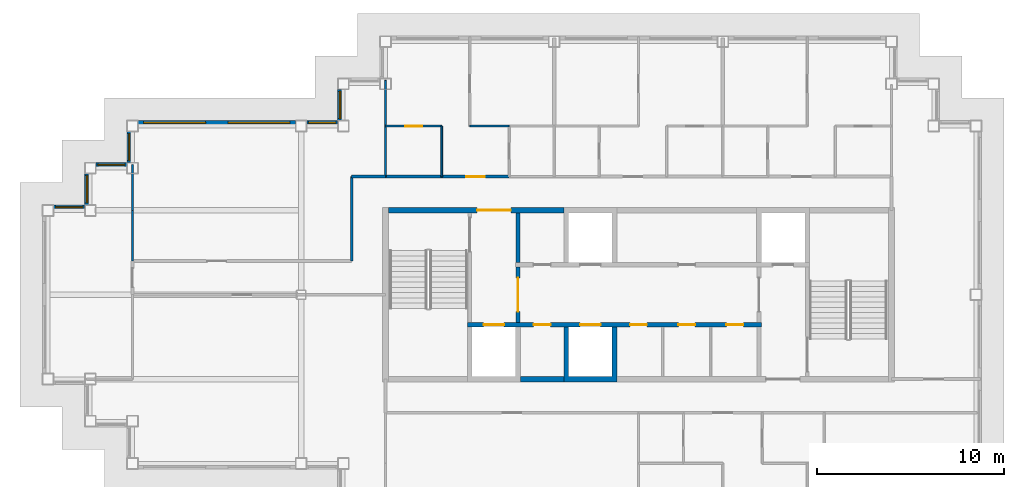
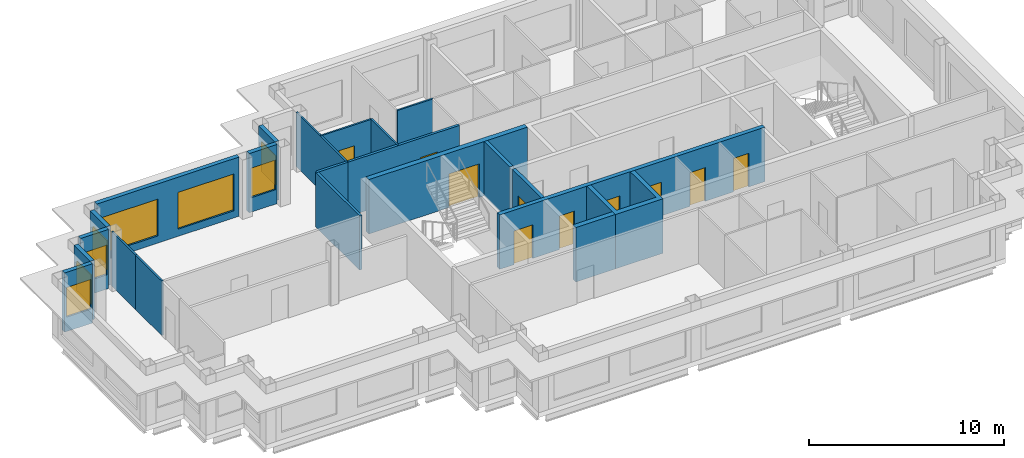
# One storey, part 3 of 11: 22 walls, 10 doors, 8 windows, 18 openings.
"""IFC4 building model written with IfcOpenShell, lengths in metres."""

import ifcopenshell
import ifcopenshell.guid

model = None  # the IFC model being written
_history = None  # IfcOwnerHistory: only IFC2X3 demands one
_inside = {}  # id of a spatial element -> (the spatial element, [elements in it])
_under = {}  # id of a project, library or spatial element -> (it, [spatial elements below it])
_declared = {}  # id of a project -> (the project, [libraries it declares])
_typed = {}  # id of a type object -> (the type object, [elements of that type])
_made_of = {}  # id of a material, layer set ... -> (it, [elements and type objects made of it])


def new_model(schema):
    """Start an empty IFC model of exactly this schema.

    Asked for "IFC4X3", IfcOpenShell would pick the latest addendum, in which some entities
    have other attributes; the version numbers below select the first issue.
    IFC2X3 requires an IfcOwnerHistory on every rooted entity: one is made here for all.
    """
    global model, _history
    if schema == "IFC4X3":
        model = ifcopenshell.file(schema_version=(4, 3, 0, 0))
    else:
        model = ifcopenshell.file(schema=schema)
    _inside.clear()
    _under.clear()
    _declared.clear()
    _typed.clear()
    _made_of.clear()
    _history = None
    if model.schema == "IFC2X3":
        org = make("IfcOrganization", Name="unknown")
        user = make(
            "IfcPersonAndOrganization",
            ThePerson=make("IfcPerson", FamilyName="unknown"),
            TheOrganization=org,
        )
        app = make(
            "IfcApplication",
            ApplicationDeveloper=org,
            Version="unknown",
            ApplicationFullName="unknown",
            ApplicationIdentifier="unknown",
        )
        _history = make(
            "IfcOwnerHistory",
            OwningUser=user,
            OwningApplication=app,
            ChangeAction="ADDED",
            CreationDate=0,
        )
    return model


def make(cls, **values):
    """One entity of the class cls with the attributes given. An attribute that is None is left unset."""
    return model.create_entity(
        cls, **{name: value for name, value in values.items() if value is not None}
    )


def rooted(cls, **values):
    """An entity with a GlobalId (a new one), such as an element, a storey or a relation."""
    return make(cls, GlobalId=ifcopenshell.guid.new(), OwnerHistory=_history, **values)


def si_unit(unit_type, name, prefix=None):
    """IfcSIUnit, for example si_unit("LENGTHUNIT", "METRE", prefix="MILLI")."""
    return make("IfcSIUnit", UnitType=unit_type, Prefix=prefix, Name=name)


def assignment(units):
    """IfcUnitAssignment: the units of a project."""
    return None if units is None else make("IfcUnitAssignment", Units=units)


def point(xyz):
    """IfcCartesianPoint."""
    return None if xyz is None else make("IfcCartesianPoint", Coordinates=xyz)


def direction(xyz):
    """IfcDirection."""
    return None if xyz is None else make("IfcDirection", DirectionRatios=xyz)


def frame(location, z_axis=None, x_axis=None):
    """IfcAxis2Placement3D, a coordinate frame: its origin and axes. An axis left out is left unset."""
    return make(
        "IfcAxis2Placement3D",
        Location=point(location),
        Axis=direction(z_axis),
        RefDirection=direction(x_axis),
    )


def frame_2d(location, x_axis=None):
    """IfcAxis2Placement2D, a coordinate frame in the plane: its origin and x axis."""
    return make(
        "IfcAxis2Placement2D", Location=point(location), RefDirection=direction(x_axis)
    )


def origin():
    """The frame at (0, 0, 0) with its axes left unset."""
    return frame((0.0, 0.0, 0.0))


def place(relative_to, where):
    """IfcLocalPlacement: puts the frame where relative to a parent placement (None: the world)."""
    return make(
        "IfcLocalPlacement", PlacementRelTo=relative_to, RelativePlacement=where
    )


def context(
    kind, dimensions, precision=None, world=None, true_north=None, identifier=None
):
    """IfcGeometricRepresentationContext, for example the 3D "Model" context."""
    return make(
        "IfcGeometricRepresentationContext",
        ContextIdentifier=identifier,
        ContextType=kind,
        CoordinateSpaceDimension=dimensions,
        Precision=precision,
        WorldCoordinateSystem=world,
        TrueNorth=true_north,
    )


def subcontext(parent, identifier, kind, view, scale=None):
    """IfcGeometricRepresentationSubContext, for example "Body" below "Model"."""
    return make(
        "IfcGeometricRepresentationSubContext",
        ContextIdentifier=identifier,
        ContextType=kind,
        ParentContext=parent,
        TargetScale=scale,
        TargetView=view,
    )


def project(units=None, contexts=None):
    """IfcProject with its units and contexts."""
    return rooted(
        "IfcProject",
        Name="project",
        RepresentationContexts=contexts,
        UnitsInContext=assignment(units),
    )


def spatial(cls, under=None, at=None, **own):
    """A site, building, storey or space (cls), placed at a placement, below another one or the project."""
    s = rooted(cls, ObjectPlacement=at, **own)
    if under is not None:
        _under.setdefault(under.id(), (under, []))[1].append(s)
    return s


def polyline(points):
    """IfcPolyline through the points."""
    return make("IfcPolyline", Points=[point(p) for p in points])


def profile(cls, at=None, kind="AREA", **sizes):
    """A parametric profile (cls). Its sizes go by their IFC names, for example OverallWidth=200.0."""
    return make(cls, ProfileType=kind, Position=at, **sizes)


def rectangle(**sizes):
    """IfcRectangleProfileDef."""
    return profile("IfcRectangleProfileDef", **sizes)


def outline(outer, holes=None, kind="AREA"):
    """IfcArbitraryClosedProfileDef: a profile drawn as a closed curve; with holes, ...WithVoids."""
    if holes is None:
        return make("IfcArbitraryClosedProfileDef", ProfileType=kind, OuterCurve=outer)
    return make(
        "IfcArbitraryProfileDefWithVoids",
        ProfileType=kind,
        OuterCurve=outer,
        InnerCurves=holes,
    )


def extrude(swept, where, along, depth):
    """IfcExtrudedAreaSolid: the profile swept, set in the frame where, extruded along a direction by depth."""
    return make(
        "IfcExtrudedAreaSolid",
        SweptArea=swept,
        Position=where,
        ExtrudedDirection=direction(along),
        Depth=depth,
    )


def shape(context_of_items, identifier, shape_type, items):
    """IfcShapeRepresentation: the items that make up one representation, for example the "Body"."""
    return make(
        "IfcShapeRepresentation",
        ContextOfItems=context_of_items,
        RepresentationIdentifier=identifier,
        RepresentationType=shape_type,
        Items=items,
    )


def material(Name=None, Category=None):
    """IfcMaterial."""
    return make("IfcMaterial", Name=Name, Category=Category)


def layer(
    of_material, thickness, ventilated=None, Name=None, Category=None, Priority=None
):
    """IfcMaterialLayer: one layer of a wall or slab, of a material (None: an air gap)."""
    return make(
        "IfcMaterialLayer",
        Material=of_material,
        LayerThickness=thickness,
        IsVentilated=ventilated,
        Name=Name,
        Category=Category,
        Priority=Priority,
    )


def layer_set(layers, Name=None):
    """IfcMaterialLayerSet."""
    return make("IfcMaterialLayerSet", MaterialLayers=layers, LayerSetName=Name)


def made_of(thing, what):
    """Note that an element or type object is made of a material, layer set ...; save() writes the relation."""
    if what is not None:
        _made_of.setdefault(what.id(), (what, []))[1].append(thing)
    return thing


def type_object(cls, material=None, **own):
    """A type object (cls), such as IfcWallType, which elements share."""
    return made_of(rooted(cls, **own), material)


def element(
    cls,
    number,
    at=None,
    inside=None,
    cuts=None,
    type_object=None,
    material=None,
    context=None,
    identifier="Body",
    shape_type=None,
    held_by="IfcProductDefinitionShape",
    body=None,
    shapes=None,
    **own,
):
    """One element of the class cls, such as IfcWall. Its Tag is "e" and its number.

    at: its placement. inside: the storey or other place that contains it. cuts: it is an
    opening in that element (IfcRelVoidsElement). A single representation is given by context,
    identifier, shape_type and body (its items); several are given by shapes. held_by: the class
    of the entity that holds the representations. save() writes the other relations.
    """
    e = rooted(cls, Tag="e%d" % number, ObjectPlacement=at, **own)
    if body is not None:
        shapes = [shape(context, identifier, shape_type, body)]
    if shapes is not None:
        e.Representation = make(held_by, Representations=shapes)
    if inside is not None:
        _inside.setdefault(inside.id(), (inside, []))[1].append(e)
    if cuts is not None:
        rooted(
            "IfcRelVoidsElement", RelatingBuildingElement=cuts, RelatedOpeningElement=e
        )
    if type_object is not None:
        _typed.setdefault(type_object.id(), (type_object, []))[1].append(e)
    return made_of(e, material)


def fill(opening, filler):
    """IfcRelFillsElement: the door or window that sits in an opening."""
    return rooted(
        "IfcRelFillsElement",
        RelatingOpeningElement=opening,
        RelatedBuildingElement=filler,
    )


def aggregate(whole, parts):
    """IfcRelAggregates: a whole, such as a stair, and the parts it consists of."""
    return rooted("IfcRelAggregates", RelatingObject=whole, RelatedObjects=parts)


def save(model, path):
    """Write the relations noted so far, then the file.

    IfcRelAggregates (storeys below a building ...), IfcRelContainedInSpatialStructure (elements
    in a storey), IfcRelDefinesByType, IfcRelAssociatesMaterial and IfcRelDeclares: one each for
    every whole, place, type object, material and project.
    """
    for whole, parts in _under.values():
        aggregate(whole, parts)
    for where, things in _inside.values():
        rooted(
            "IfcRelContainedInSpatialStructure",
            RelatedElements=things,
            RelatingStructure=where,
        )
    for kind, things in _typed.values():
        rooted("IfcRelDefinesByType", RelatedObjects=things, RelatingType=kind)
    for what, things in _made_of.values():
        rooted("IfcRelAssociatesMaterial", RelatedObjects=things, RelatingMaterial=what)
    for by, libraries in _declared.values():
        rooted("IfcRelDeclares", RelatingContext=by, RelatedDefinitions=libraries)
    model.write(path)


model = new_model("IFC4")

# Units and contexts
model_context = context("Model", 3, precision=1e-05, world=origin(), true_north=direction((0.0, 1.0)))
body_context = subcontext(model_context, "Body", "Model", "MODEL_VIEW")
ifc_project = project(units=[si_unit("LENGTHUNIT", "METRE"), si_unit("AREAUNIT", "SQUARE_METRE"), si_unit("VOLUMEUNIT", "CUBIC_METRE"), si_unit("PLANEANGLEUNIT", "RADIAN"), si_unit("MASSUNIT", "GRAM", prefix="KILO")], contexts=[model_context])

# Site, building, storey
site_placement = place(None, origin())
site = spatial("IfcSite", under=ifc_project, at=site_placement, CompositionType="ELEMENT")
building_placement = place(site_placement, origin())
building = spatial("IfcBuilding", under=site, at=building_placement, Name="Caravel Reach Hotel and Residences", CompositionType="ELEMENT")
storey_placement = place(building_placement, frame((0.0, 0.0, 271.199951171875)))
storey = spatial("IfcBuildingStorey", under=building, at=storey_placement, Name="L69", CompositionType="ELEMENT", Elevation=271.199951171875)

# Walls
ifc_material_1 = material(Name="Autoclaved aerated block wall")
ifc_layer_1 = layer(ifc_material_1, 0.199951171875)
ifc_layer_set_1 = layer_set([ifc_layer_1], Name="Compartment wall 200 mm EI 120")
wall_type_1 = type_object("IfcWallType", Name="Compartment wall 200 mm EI 120", PredefinedType="PARTITIONING", material=ifc_layer_set_1)
wall_1_placement = place(storey_placement, frame((25.071533203125, 28.72509765625, 0.0), z_axis=(0.0, 0.0, 1.0), x_axis=(0.0, 1.0, 0.0)))
element("IfcWall", 1, at=wall_1_placement, inside=storey, type_object=wall_type_1, Name="L69 store partition", PredefinedType="PARTITIONING", context=body_context, shape_type="SweptSolid", body=[
    extrude(rectangle(XDim=2.625, YDim=0.199951171875, at=frame_2d((1.3125, 0.0))), origin(), (0.0, 0.0, 1.0), 3.400146484375),
])
ifc_material_2 = material(Name="Concrete C60", Category="concrete")
ifc_layer_2 = layer(ifc_material_2, 0.300048828125)
ifc_layer_set_2 = layer_set([ifc_layer_2], Name="Core wall 300 mm EI 120")
wall_type_2 = type_object("IfcWallType", Name="Core wall 300 mm EI 120", PredefinedType="SHEAR", material=ifc_layer_set_2)
wall_2_placement = place(storey_placement, frame((25.196533203125, 22.5, 0.0), z_axis=(0.0, 0.0, 1.0), x_axis=(1.0, 0.0, 0.0)))
element("IfcWall", 2, at=wall_2_placement, inside=storey, type_object=wall_type_2, Name="L69 core wall S2", PredefinedType="SHEAR", context=body_context, shape_type="SweptSolid", body=[
    extrude(rectangle(XDim=2.3212890625, YDim=0.300048828125, at=frame_2d((1.16064453125, 0.0))), origin(), (0.0, 0.0, 1.0), 3.400146484375),
])

# Wall, opening, door
wall_3_placement = place(storey_placement, frame((18.14990234375, 31.5, 0.0), z_axis=(0.0, 0.0, 1.0), x_axis=(1.0, 0.0, 0.0)))
wall_3 = element("IfcWall", 3, at=wall_3_placement, inside=storey, type_object=wall_type_2, Name="L69 core wall N1", PredefinedType="SHEAR", context=body_context, shape_type="SweptSolid", body=[
    extrude(rectangle(XDim=9.367919921875, YDim=0.300048828125, at=frame_2d((4.68408203125, 0.0))), origin(), (0.0, 0.0, 1.0), 3.400146484375),
])
opening_1_placement = place(wall_3_placement, frame((4.735595703125, 0.0, 0.0)))
opening_1 = element("IfcOpeningElement", 4, at=opening_1_placement, cuts=wall_3, Name="Opening D69-015", PredefinedType="OPENING", context=body_context, shape_type="SweptSolid", body=[
    extrude(rectangle(XDim=1.800048828125, YDim=2.10009765625, at=frame_2d((0.89990234375, 1.050048828125))), frame((0.0, 0.159912109375, 0.0), z_axis=(0.0, -1.0, 0.0), x_axis=(1.0, 0.0, 0.0)), (0.0, 0.0, 1.0), 0.320068359375),
])
ifc_material_3 = material(Name="Steel fire door leaf", Category="steel")
door_type_1 = type_object("IfcDoorType", Name="Fire lobby door pair 1800 x 2100 EI 90", OperationType="DOUBLE_DOOR_SINGLE_SWING", PredefinedType="DOOR", material=ifc_material_3)
door_1_placement = place(opening_1_placement, origin())
door_1 = element("IfcDoor", 5, at=door_1_placement, inside=storey, type_object=door_type_1, Name="lobby N door pair to corridor", OperationType="DOUBLE_DOOR_SINGLE_SWING", OverallHeight=2.10009765625, OverallWidth=1.800048828125, PredefinedType="DOOR", context=body_context, shape_type="SweptSolid", body=[
    extrude(rectangle(XDim=1.800048828125, YDim=2.10009765625, at=frame_2d((0.89990234375, 1.050048828125))), frame((0.0, 0.02490234375, 0.0), z_axis=(0.0, -1.0, 0.0), x_axis=(1.0, 0.0, 0.0)), (0.0, 0.0, 1.0), 0.050048828125),
])
fill(opening_1, door_1)

ifc_material_4 = material(Name="Gypsum board on steel stud, fire-rated", Category="steel")
ifc_layer_3 = layer(ifc_material_4, 0.14990234375)
ifc_layer_set_3 = layer_set([ifc_layer_3], Name="Corridor wall 150 mm EI 60")
wall_type_3 = type_object("IfcWallType", Name="Corridor wall 150 mm EI 60", PredefinedType="PARTITIONING", material=ifc_layer_set_3)
wall_4_placement = place(storey_placement, frame((18.0, 33.300048828125, 0.0), z_axis=(0.0, 0.0, 1.0), x_axis=(1.0, 0.0, 0.0)))
wall_4 = element("IfcWall", 6, at=wall_4_placement, inside=storey, type_object=wall_type_3, Name="L69 wall w011", PredefinedType="PARTITIONING", context=body_context, shape_type="SweptSolid", body=[
    extrude(rectangle(XDim=6.60009765625, YDim=0.14990234375, at=frame_2d((3.300048828125, 0.0))), origin(), (0.0, 0.0, 1.0), 3.400146484375),
])
opening_2_placement = place(wall_4_placement, frame((4.300048828125, 0.0, 0.0)))
opening_2 = element("IfcOpeningElement", 7, at=opening_2_placement, cuts=wall_4, Name="Opening D69-017", PredefinedType="OPENING", context=body_context, shape_type="SweptSolid", body=[
    extrude(rectangle(XDim=1.0, YDim=2.199951171875, at=frame_2d((0.5, 1.10009765625))), frame((0.0, 0.0849609375, 0.0), z_axis=(0.0, -1.0, 0.0), x_axis=(1.0, 0.0, 0.0)), (0.0, 0.0, 1.0), 0.169921875),
])
ifc_material_5 = material(Name="Steel fire door leaf", Category="steel")
door_type_2 = type_object("IfcDoorType", Name="Flat entrance door 1000 x 2200 EI 60", OperationType="SINGLE_SWING_LEFT", PredefinedType="DOOR", material=ifc_material_5)
door_2_placement = place(opening_2_placement, origin())
door_2 = element("IfcDoor", 8, at=door_2_placement, inside=storey, type_object=door_type_2, Name="door D69-017", OperationType="SINGLE_SWING_LEFT", OverallHeight=2.199951171875, OverallWidth=1.0, PredefinedType="DOOR", context=body_context, shape_type="SweptSolid", body=[
    extrude(rectangle(XDim=1.0, YDim=2.199951171875, at=frame_2d((0.5, 1.10009765625))), frame((0.0, 0.02490234375, 0.0), z_axis=(0.0, -1.0, 0.0), x_axis=(1.0, 0.0, 0.0)), (0.0, 0.0, 1.0), 0.050048828125),
])
fill(opening_2, door_2)

# Walls
wall_5_placement = place(storey_placement, frame((16.199951171875, 33.300048828125, 0.0), z_axis=(0.0, 0.0, 1.0), x_axis=(1.0, 0.0, 0.0)))
element("IfcWall", 9, at=wall_5_placement, inside=storey, type_object=wall_type_3, Name="L69 wall w016", PredefinedType="PARTITIONING", context=body_context, shape_type="SweptSolid", body=[
    extrude(rectangle(XDim=1.799072265625, YDim=0.14990234375, at=frame_2d((0.8994140625, 0.0))), origin(), (0.0, 0.0, 1.0), 3.400146484375),
])
wall_6_placement = place(storey_placement, frame((16.199951171875, 28.801025390625, 0.0), z_axis=(0.0, 0.0, 1.0), x_axis=(0.0, 1.0, 0.0)))
element("IfcWall", 10, at=wall_6_placement, inside=storey, type_object=wall_type_3, Name="L69 wall w017", PredefinedType="PARTITIONING", context=body_context, shape_type="SweptSolid", body=[
    extrude(rectangle(XDim=4.4990234375, YDim=0.14990234375, at=frame_2d((2.24951171875, 0.0))), origin(), (0.0, 0.0, 1.0), 3.400146484375),
])

# Wall, opening, window
ifc_material_6 = material(Name="Insulated rainscreen wall, aluminium cladding", Category="aluminium")
ifc_layer_4 = layer(ifc_material_6, 0.25)
ifc_layer_set_4 = layer_set([ifc_layer_4], Name="EW1 Tower rainscreen wall")
wall_type_4 = type_object("IfcWallType", Name="EW1 Tower rainscreen wall", PredefinedType="SOLIDWALL", material=ifc_layer_set_4)
wall_7_placement = place(storey_placement, frame((15.574951171875, 37.949951171875, 0.0), z_axis=(0.0, 0.0, 1.0), x_axis=(0.0, -1.0, 0.0)))
wall_7 = element("IfcWall", 11, at=wall_7_placement, inside=storey, type_object=wall_type_4, Name="External wall L69 W17.1", PredefinedType="SOLIDWALL", context=body_context, shape_type="SweptSolid", body=[
    extrude(rectangle(XDim=1.64990234375, YDim=0.25, at=frame_2d((0.824951171875, 0.0))), origin(), (0.0, 0.0, 1.0), 3.699951171875),
])
opening_3_placement = place(wall_7_placement, frame((0.10009765625, 0.0, 0.89990234375)))
opening_3 = element("IfcOpeningElement", 12, at=opening_3_placement, cuts=wall_7, Name="Opening WN25", PredefinedType="OPENING", context=body_context, shape_type="SweptSolid", body=[
    extrude(rectangle(XDim=1.449951171875, YDim=1.85009765625, at=frame_2d((0.72509765625, 0.925048828125))), frame((0.0, 0.135009765625, 0.0), z_axis=(0.0, -1.0, 0.0), x_axis=(1.0, 0.0, 0.0)), (0.0, 0.0, 1.0), 0.27001953125),
])
ifc_material_7 = material(Name="Dark low-e glazing in black aluminium frame", Category="aluminium")
window_type_1 = type_object("IfcWindowType", Name="Residence bedroom window 1450 x 1850", PartitioningType="SINGLE_PANEL", PredefinedType="WINDOW", material=ifc_material_7)
window_1_placement = place(opening_3_placement, origin())
window_1 = element("IfcWindow", 13, at=window_1_placement, inside=storey, type_object=window_type_1, Name="Window L69 W17.1.1", OverallHeight=1.85009765625, OverallWidth=1.449951171875, PartitioningType="SINGLE_PANEL", PredefinedType="WINDOW", context=body_context, shape_type="SweptSolid", body=[
    extrude(rectangle(XDim=1.449951171875, YDim=1.85009765625, at=frame_2d((0.72509765625, 0.925048828125))), frame((0.0, 0.030029296875, 0.0), z_axis=(0.0, -1.0, 0.0), x_axis=(1.0, 0.0, 0.0)), (0.0, 0.0, 1.0), 0.06005859375),
])
fill(opening_3, window_1)

wall_8_placement = place(storey_placement, frame((15.449951171875, 36.175048828125, 0.0), z_axis=(0.0, 0.0, 1.0), x_axis=(-1.0, 0.0, 0.0)))
wall_8 = element("IfcWall", 14, at=wall_8_placement, inside=storey, type_object=wall_type_4, Name="External wall L69 N18.1", PredefinedType="SOLIDWALL", context=body_context, shape_type="SweptSolid", body=[
    extrude(rectangle(XDim=1.64990234375, YDim=0.25, at=frame_2d((0.824951171875, 0.0))), origin(), (0.0, 0.0, 1.0), 3.699951171875),
])
opening_4_placement = place(wall_8_placement, frame((0.10009765625, 0.0, 0.89990234375)))
opening_4 = element("IfcOpeningElement", 15, at=opening_4_placement, cuts=wall_8, Name="Opening WN25", PredefinedType="OPENING", context=body_context, shape_type="SweptSolid", body=[
    extrude(rectangle(XDim=1.449951171875, YDim=1.85009765625, at=frame_2d((0.72509765625, 0.925048828125))), frame((0.0, 0.135009765625, 0.0), z_axis=(0.0, -1.0, 0.0), x_axis=(1.0, 0.0, 0.0)), (0.0, 0.0, 1.0), 0.27001953125),
])
window_2_placement = place(opening_4_placement, origin())
window_2 = element("IfcWindow", 16, at=window_2_placement, inside=storey, type_object=window_type_1, Name="Window L69 N18.1.1", OverallHeight=1.85009765625, OverallWidth=1.449951171875, PartitioningType="SINGLE_PANEL", PredefinedType="WINDOW", context=body_context, shape_type="SweptSolid", body=[
    extrude(rectangle(XDim=1.449951171875, YDim=1.85009765625, at=frame_2d((0.72509765625, 0.925048828125))), frame((0.0, 0.030029296875, 0.0), z_axis=(0.0, -1.0, 0.0), x_axis=(1.0, 0.0, 0.0)), (0.0, 0.0, 1.0), 0.06005859375),
])
fill(opening_4, window_2)

# Wall, openings, windows
wall_9_placement = place(storey_placement, frame((13.199951171875, 36.175048828125, 0.0), z_axis=(0.0, 0.0, 1.0), x_axis=(-1.0, 0.0, 0.0)))
wall_9 = element("IfcWall", 17, at=wall_9_placement, inside=storey, type_object=wall_type_4, Name="External wall L69 N18.2", PredefinedType="SOLIDWALL", context=body_context, shape_type="SweptSolid", body=[
    extrude(rectangle(XDim=8.39990234375, YDim=0.25, at=frame_2d((4.199951171875, 0.0))), origin(), (0.0, 0.0, 1.0), 3.699951171875),
])
opening_5_placement = place(wall_9_placement, frame((0.300048828125, 0.0, 0.449951171875)))
opening_5 = element("IfcOpeningElement", 18, at=opening_5_placement, cuts=wall_9, Name="Opening WN15", PredefinedType="OPENING", context=body_context, shape_type="SweptSolid", body=[
    extrude(rectangle(XDim=3.300048828125, YDim=2.300048828125, at=frame_2d((1.64990234375, 1.14990234375))), frame((0.0, 0.135009765625, 0.0), z_axis=(0.0, -1.0, 0.0), x_axis=(1.0, 0.0, 0.0)), (0.0, 0.0, 1.0), 0.27001953125),
])
opening_6_placement = place(wall_9_placement, frame((4.800048828125, 0.0, 0.449951171875)))
opening_6 = element("IfcOpeningElement", 19, at=opening_6_placement, cuts=wall_9, Name="Opening WN15", PredefinedType="OPENING", context=body_context, shape_type="SweptSolid", body=[
    extrude(rectangle(XDim=3.300048828125, YDim=2.300048828125, at=frame_2d((1.64990234375, 1.14990234375))), frame((0.0, 0.135009765625, 0.0), z_axis=(0.0, -1.0, 0.0), x_axis=(1.0, 0.0, 0.0)), (0.0, 0.0, 1.0), 0.27001953125),
])
ifc_material_8 = material(Name="Dark low-e glazing in black aluminium frame", Category="aluminium")
window_type_2 = type_object("IfcWindowType", Name="Residence living window 3300 x 2300", PartitioningType="SINGLE_PANEL", PredefinedType="WINDOW", material=ifc_material_8)
window_3_placement = place(opening_5_placement, origin())
window_3 = element("IfcWindow", 20, at=window_3_placement, inside=storey, type_object=window_type_2, Name="Window L69 N18.2.1", OverallHeight=2.300048828125, OverallWidth=3.300048828125, PartitioningType="SINGLE_PANEL", PredefinedType="WINDOW", context=body_context, shape_type="SweptSolid", body=[
    extrude(rectangle(XDim=3.300048828125, YDim=2.300048828125, at=frame_2d((1.64990234375, 1.14990234375))), frame((0.0, 0.030029296875, 0.0), z_axis=(0.0, -1.0, 0.0), x_axis=(1.0, 0.0, 0.0)), (0.0, 0.0, 1.0), 0.06005859375),
])
fill(opening_5, window_3)
window_4_placement = place(opening_6_placement, origin())
window_4 = element("IfcWindow", 21, at=window_4_placement, inside=storey, type_object=window_type_2, Name="Window L69 N18.2.2", OverallHeight=2.300048828125, OverallWidth=3.300048828125, PartitioningType="SINGLE_PANEL", PredefinedType="WINDOW", context=body_context, shape_type="SweptSolid", body=[
    extrude(rectangle(XDim=3.300048828125, YDim=2.300048828125, at=frame_2d((1.64990234375, 1.14990234375))), frame((0.0, 0.030029296875, 0.0), z_axis=(0.0, -1.0, 0.0), x_axis=(1.0, 0.0, 0.0)), (0.0, 0.0, 1.0), 0.06005859375),
])
fill(opening_6, window_4)

# Wall, opening, window
wall_10_placement = place(storey_placement, frame((4.324951171875, 35.699951171875, 0.0), z_axis=(0.0, 0.0, 1.0), x_axis=(0.0, -1.0, 0.0)))
wall_10 = element("IfcWall", 22, at=wall_10_placement, inside=storey, type_object=wall_type_4, Name="External wall L69 W19.1", PredefinedType="SOLIDWALL", context=body_context, shape_type="SweptSolid", body=[
    extrude(rectangle(XDim=1.64990234375, YDim=0.25, at=frame_2d((0.824951171875, 0.0))), origin(), (0.0, 0.0, 1.0), 3.699951171875),
])
opening_7_placement = place(wall_10_placement, frame((0.10009765625, 0.0, 0.89990234375)))
opening_7 = element("IfcOpeningElement", 23, at=opening_7_placement, cuts=wall_10, Name="Opening WN25", PredefinedType="OPENING", context=body_context, shape_type="SweptSolid", body=[
    extrude(rectangle(XDim=1.449951171875, YDim=1.85009765625, at=frame_2d((0.72509765625, 0.925048828125))), frame((0.0, 0.135009765625, 0.0), z_axis=(0.0, -1.0, 0.0), x_axis=(1.0, 0.0, 0.0)), (0.0, 0.0, 1.0), 0.27001953125),
])
window_5_placement = place(opening_7_placement, origin())
window_5 = element("IfcWindow", 24, at=window_5_placement, inside=storey, type_object=window_type_1, Name="Window L69 W19.1.1", OverallHeight=1.85009765625, OverallWidth=1.449951171875, PartitioningType="SINGLE_PANEL", PredefinedType="WINDOW", context=body_context, shape_type="SweptSolid", body=[
    extrude(rectangle(XDim=1.449951171875, YDim=1.85009765625, at=frame_2d((0.72509765625, 0.925048828125))), frame((0.0, 0.030029296875, 0.0), z_axis=(0.0, -1.0, 0.0), x_axis=(1.0, 0.0, 0.0)), (0.0, 0.0, 1.0), 0.06005859375),
])
fill(opening_7, window_5)

wall_11_placement = place(storey_placement, frame((4.199951171875, 33.925048828125, 0.0), z_axis=(0.0, 0.0, 1.0), x_axis=(-1.0, 0.0, 0.0)))
wall_11 = element("IfcWall", 25, at=wall_11_placement, inside=storey, type_object=wall_type_4, Name="External wall L69 N20.1", PredefinedType="SOLIDWALL", context=body_context, shape_type="SweptSolid", body=[
    extrude(rectangle(XDim=1.64990234375, YDim=0.25, at=frame_2d((0.824951171875, 0.0))), origin(), (0.0, 0.0, 1.0), 3.699951171875),
])
opening_8_placement = place(wall_11_placement, frame((0.10009765625, 0.0, 0.89990234375)))
opening_8 = element("IfcOpeningElement", 26, at=opening_8_placement, cuts=wall_11, Name="Opening WN25", PredefinedType="OPENING", context=body_context, shape_type="SweptSolid", body=[
    extrude(rectangle(XDim=1.449951171875, YDim=1.85009765625, at=frame_2d((0.72509765625, 0.925048828125))), frame((0.0, 0.135009765625, 0.0), z_axis=(0.0, -1.0, 0.0), x_axis=(1.0, 0.0, 0.0)), (0.0, 0.0, 1.0), 0.27001953125),
])
window_6_placement = place(opening_8_placement, origin())
window_6 = element("IfcWindow", 27, at=window_6_placement, inside=storey, type_object=window_type_1, Name="Window L69 N20.1.1", OverallHeight=1.85009765625, OverallWidth=1.449951171875, PartitioningType="SINGLE_PANEL", PredefinedType="WINDOW", context=body_context, shape_type="SweptSolid", body=[
    extrude(rectangle(XDim=1.449951171875, YDim=1.85009765625, at=frame_2d((0.72509765625, 0.925048828125))), frame((0.0, 0.030029296875, 0.0), z_axis=(0.0, -1.0, 0.0), x_axis=(1.0, 0.0, 0.0)), (0.0, 0.0, 1.0), 0.06005859375),
])
fill(opening_8, window_6)

wall_12_placement = place(storey_placement, frame((2.074951171875, 33.449951171875, 0.0), z_axis=(0.0, 0.0, 1.0), x_axis=(0.0, -1.0, 0.0)))
wall_12 = element("IfcWall", 28, at=wall_12_placement, inside=storey, type_object=wall_type_4, Name="External wall L69 W21.1", PredefinedType="SOLIDWALL", context=body_context, shape_type="SweptSolid", body=[
    extrude(rectangle(XDim=1.64990234375, YDim=0.25, at=frame_2d((0.824951171875, 0.0))), origin(), (0.0, 0.0, 1.0), 3.699951171875),
])
opening_9_placement = place(wall_12_placement, frame((0.10009765625, 0.0, 0.89990234375)))
opening_9 = element("IfcOpeningElement", 29, at=opening_9_placement, cuts=wall_12, Name="Opening WN25", PredefinedType="OPENING", context=body_context, shape_type="SweptSolid", body=[
    extrude(rectangle(XDim=1.449951171875, YDim=1.85009765625, at=frame_2d((0.72509765625, 0.925048828125))), frame((0.0, 0.135009765625, 0.0), z_axis=(0.0, -1.0, 0.0), x_axis=(1.0, 0.0, 0.0)), (0.0, 0.0, 1.0), 0.27001953125),
])
window_7_placement = place(opening_9_placement, origin())
window_7 = element("IfcWindow", 30, at=window_7_placement, inside=storey, type_object=window_type_1, Name="Window L69 W21.1.1", OverallHeight=1.85009765625, OverallWidth=1.449951171875, PartitioningType="SINGLE_PANEL", PredefinedType="WINDOW", context=body_context, shape_type="SweptSolid", body=[
    extrude(rectangle(XDim=1.449951171875, YDim=1.85009765625, at=frame_2d((0.72509765625, 0.925048828125))), frame((0.0, 0.030029296875, 0.0), z_axis=(0.0, -1.0, 0.0), x_axis=(1.0, 0.0, 0.0)), (0.0, 0.0, 1.0), 0.06005859375),
])
fill(opening_9, window_7)

wall_13_placement = place(storey_placement, frame((1.949951171875, 31.675048828125, 0.0), z_axis=(0.0, 0.0, 1.0), x_axis=(-1.0, 0.0, 0.0)))
wall_13 = element("IfcWall", 31, at=wall_13_placement, inside=storey, type_object=wall_type_4, Name="External wall L69 N22.1", PredefinedType="SOLIDWALL", context=body_context, shape_type="SweptSolid", body=[
    extrude(rectangle(XDim=1.64990234375, YDim=0.25, at=frame_2d((0.824951171875, 0.0))), origin(), (0.0, 0.0, 1.0), 3.699951171875),
])
opening_10_placement = place(wall_13_placement, frame((0.10009765625, 0.0, 0.89990234375)))
opening_10 = element("IfcOpeningElement", 32, at=opening_10_placement, cuts=wall_13, Name="Opening WN25", PredefinedType="OPENING", context=body_context, shape_type="SweptSolid", body=[
    extrude(rectangle(XDim=1.449951171875, YDim=1.85009765625, at=frame_2d((0.72509765625, 0.925048828125))), frame((0.0, 0.135009765625, 0.0), z_axis=(0.0, -1.0, 0.0), x_axis=(1.0, 0.0, 0.0)), (0.0, 0.0, 1.0), 0.27001953125),
])
window_8_placement = place(opening_10_placement, origin())
window_8 = element("IfcWindow", 33, at=window_8_placement, inside=storey, type_object=window_type_1, Name="Window L69 N22.1.1", OverallHeight=1.85009765625, OverallWidth=1.449951171875, PartitioningType="SINGLE_PANEL", PredefinedType="WINDOW", context=body_context, shape_type="SweptSolid", body=[
    extrude(rectangle(XDim=1.449951171875, YDim=1.85009765625, at=frame_2d((0.72509765625, 0.925048828125))), frame((0.0, 0.030029296875, 0.0), z_axis=(0.0, -1.0, 0.0), x_axis=(1.0, 0.0, 0.0)), (0.0, 0.0, 1.0), 0.06005859375),
])
fill(opening_10, window_8)

# Wall, opening, door
ifc_material_9 = material(Name="Autoclaved aerated block wall")
ifc_layer_5 = layer(ifc_material_9, 0.199951171875)
ifc_layer_set_5 = layer_set([ifc_layer_5], Name="Fire lobby wall 200 mm EI 120")
wall_type_5 = type_object("IfcWallType", Name="Fire lobby wall 200 mm EI 120", PredefinedType="PARTITIONING", material=ifc_layer_set_5)
wall_14_placement = place(storey_placement, frame((25.071533203125, 25.52490234375, 0.0), z_axis=(0.0, 0.0, 1.0), x_axis=(0.0, 1.0, 0.0)))
wall_14 = element("IfcWall", 34, at=wall_14_placement, inside=storey, type_object=wall_type_5, Name="L69 lobby W wall", PredefinedType="PARTITIONING", context=body_context, shape_type="SweptSolid", body=[
    extrude(rectangle(XDim=2.9501953125, YDim=0.199951171875, at=frame_2d((1.47509765625, 0.0))), origin(), (0.0, 0.0, 1.0), 3.400146484375),
])
opening_11_placement = place(wall_14_placement, frame((0.574951171875, 0.0, 0.0)))
opening_11 = element("IfcOpeningElement", 35, at=opening_11_placement, cuts=wall_14, Name="Opening D69-013", PredefinedType="OPENING", context=body_context, shape_type="SweptSolid", body=[
    extrude(rectangle(XDim=1.800048828125, YDim=2.10009765625, at=frame_2d((0.89990234375, 1.050048828125))), frame((0.0, 0.10986328125, 0.0), z_axis=(0.0, -1.0, 0.0), x_axis=(1.0, 0.0, 0.0)), (0.0, 0.0, 1.0), 0.219970703125),
])
door_3_placement = place(opening_11_placement, origin())
door_3 = element("IfcDoor", 36, at=door_3_placement, inside=storey, type_object=door_type_1, Name="lobby W door pair", OperationType="DOUBLE_DOOR_SINGLE_SWING", OverallHeight=2.10009765625, OverallWidth=1.800048828125, PredefinedType="DOOR", context=body_context, shape_type="SweptSolid", body=[
    extrude(rectangle(XDim=1.800048828125, YDim=2.10009765625, at=frame_2d((0.89990234375, 1.050048828125))), frame((0.0, 0.02490234375, 0.0), z_axis=(0.0, -1.0, 0.0), x_axis=(1.0, 0.0, 0.0)), (0.0, 0.0, 1.0), 0.050048828125),
])
fill(opening_11, door_3)

# Wall
ifc_material_10 = material(Name="Gypsum board on steel stud", Category="steel")
ifc_layer_6 = layer(ifc_material_10, 0.10009765625)
ifc_layer_set_6 = layer_set([ifc_layer_6], Name="Partition 100 mm")
wall_type_6 = type_object("IfcWallType", Name="Partition 100 mm", PredefinedType="PARTITIONING", material=ifc_layer_set_6)
wall_15_placement = place(storey_placement, frame((22.5, 36.0, 0.0), z_axis=(0.0, 0.0, 1.0), x_axis=(1.0, 0.0, 0.0)))
element("IfcWall", 37, at=wall_15_placement, inside=storey, type_object=wall_type_6, Name="L69 wall w026", PredefinedType="PARTITIONING", context=body_context, shape_type="SweptSolid", body=[
    extrude(rectangle(XDim=2.10009765625, YDim=0.10009765625, at=frame_2d((1.050048828125, 0.0))), origin(), (0.0, 0.0, 1.0), 3.400146484375),
])

# Wall, opening, door
wall_16_placement = place(storey_placement, frame((18.0, 36.0, 0.0), z_axis=(0.0, 0.0, 1.0), x_axis=(1.0, 0.0, 0.0)))
wall_16 = element("IfcWall", 38, at=wall_16_placement, inside=storey, type_object=wall_type_6, Name="L69 wall w027", PredefinedType="PARTITIONING", context=body_context, shape_type="SweptSolid", body=[
    extrude(rectangle(XDim=3.0, YDim=0.10009765625, at=frame_2d((1.5, 0.0))), origin(), (0.0, 0.0, 1.0), 3.400146484375),
])
opening_12_placement = place(wall_16_placement, frame((1.050048828125, 0.0, 0.0)))
opening_12 = element("IfcOpeningElement", 39, at=opening_12_placement, cuts=wall_16, Name="Opening D69-018", PredefinedType="OPENING", context=body_context, shape_type="SweptSolid", body=[
    extrude(rectangle(XDim=0.89990234375, YDim=2.10009765625, at=frame_2d((0.449951171875, 1.050048828125))), frame((0.0, 0.06005859375, 0.0), z_axis=(0.0, -1.0, 0.0), x_axis=(1.0, 0.0, 0.0)), (0.0, 0.0, 1.0), 0.1201171875),
])
ifc_material_11 = material(Name="Timber and steel door leaf", Category="steel")
door_type_3 = type_object("IfcDoorType", Name="Door 900 x 2100 timber", OperationType="SINGLE_SWING_LEFT", PredefinedType="DOOR", material=ifc_material_11)
door_4_placement = place(opening_12_placement, origin())
door_4 = element("IfcDoor", 40, at=door_4_placement, inside=storey, type_object=door_type_3, Name="door D69-018", OperationType="SINGLE_SWING_RIGHT", OverallHeight=2.10009765625, OverallWidth=0.89990234375, PredefinedType="DOOR", context=body_context, shape_type="SweptSolid", body=[
    extrude(rectangle(XDim=0.89990234375, YDim=2.10009765625, at=frame_2d((0.449951171875, 1.050048828125))), frame((0.0, 0.02490234375, 0.0), z_axis=(0.0, -1.0, 0.0), x_axis=(1.0, 0.0, 0.0)), (0.0, 0.0, 1.0), 0.050048828125),
])
fill(opening_12, door_4)

# Walls
wall_17_placement = place(storey_placement, frame((18.0, 33.301025390625, 0.0), z_axis=(0.0, 0.0, 1.0), x_axis=(0.0, 1.0, 0.0)))
element("IfcWall", 41, at=wall_17_placement, inside=storey, type_object=wall_type_6, Name="L69 wall w033", PredefinedType="PARTITIONING", context=body_context, shape_type="SweptSolid", body=[
    extrude(rectangle(XDim=5.138916015625, YDim=0.10009765625, at=frame_2d((2.5693359375, 0.0))), origin(), (0.0, 0.0, 1.0), 3.400146484375),
])
for number, where, z_axis, x_axis, name in (
    (42, (21.0, 33.300048828125, 0.0), (0.0, 0.0, 1.0), (0.0, 1.0, 0.0), "L69 wall w036"),
    (43, (4.5, 28.800048828125, 0.0), (0.0, 0.0, 1.0), (0.0, 1.0, 0.0), "L69 wall w043"),
):
    element("IfcWall", number, at=place(storey_placement, frame(where, z_axis=z_axis, x_axis=x_axis)), inside=storey, type_object=wall_type_6, Name=name, PredefinedType="PARTITIONING", context=body_context, shape_type="SweptSolid", body=[
        extrude(rectangle(XDim=2.699951171875, YDim=0.10009765625, at=frame_2d((1.35009765625, 0.0))), origin(), (0.0, 0.0, 1.0), 3.400146484375),
    ])
wall_18_placement = place(storey_placement, frame((4.5, 31.5009765625, 0.0), z_axis=(0.0, 0.0, 1.0), x_axis=(0.0, 1.0, 0.0)))
element("IfcWall", 44, at=wall_18_placement, inside=storey, type_object=wall_type_6, Name="L69 wall w044", PredefinedType="PARTITIONING", context=body_context, shape_type="SweptSolid", body=[
    extrude(rectangle(XDim=2.43896484375, YDim=0.10009765625, at=frame_2d((1.219482421875, 0.0))), origin(), (0.0, 0.0, 1.0), 3.400146484375),
])
ifc_material_12 = material(Name="Concrete C60", Category="concrete")
ifc_layer_7 = layer(ifc_material_12, 0.25)
ifc_layer_set_7 = layer_set([ifc_layer_7], Name="Shaft wall 250 mm EI 120")
wall_type_7 = type_object("IfcWallType", Name="Shaft wall 250 mm EI 120", PredefinedType="SHEAR", material=ifc_layer_set_7)
wall_19_placement = place(storey_placement, origin())
element("IfcWall", 45, at=wall_19_placement, inside=storey, type_object=wall_type_7, Name="L69 lift shaft wall S2", PredefinedType="SHEAR", context=body_context, shape_type="SweptSolid", body=[
    extrude(outline(polyline([(27.517822265625, 22.35009765625), (30.33935546875, 22.35009765625), (30.33935546875, 25.27490234375), (30.08935546875, 25.27490234375), (30.08935546875, 22.64990234375), (27.767822265625, 22.64990234375), (27.767822265625, 25.27490234375), (27.517822265625, 25.27490234375), (27.517822265625, 22.35009765625)])), origin(), (0.0, 0.0, 1.0), 3.400146484375),
])

# Wall, openings, doors
wall_20_placement = place(storey_placement, frame((22.375, 25.39990234375, 0.0), z_axis=(0.0, 0.0, 1.0), x_axis=(1.0, 0.0, 0.0)))
wall_20 = element("IfcWall", 46, at=wall_20_placement, inside=storey, type_object=wall_type_7, Name="L69 lobby wall S1", PredefinedType="SHEAR", context=body_context, shape_type="SweptSolid", body=[
    extrude(rectangle(XDim=15.678466796875, YDim=0.25, at=frame_2d((7.83935546875, 0.0))), origin(), (0.0, 0.0, 1.0), 3.400146484375),
])
opening_13_placement = place(wall_20_placement, frame((6.003662109375, 0.0, 0.0)))
opening_13 = element("IfcOpeningElement", 47, at=opening_13_placement, cuts=wall_20, Name="Opening D69-001", PredefinedType="OPENING", context=body_context, shape_type="SweptSolid", body=[
    extrude(rectangle(XDim=1.10009765625, YDim=2.10009765625, at=frame_2d((0.550048828125, 1.050048828125))), frame((0.0, 0.135009765625, 0.0), z_axis=(0.0, -1.0, 0.0), x_axis=(1.0, 0.0, 0.0)), (0.0, 0.0, 1.0), 0.27001953125),
])
opening_14_placement = place(wall_20_placement, frame((0.860595703125, 0.0, 0.0)))
opening_14 = element("IfcOpeningElement", 48, at=opening_14_placement, cuts=wall_20, Name="Opening D69-003", PredefinedType="OPENING", context=body_context, shape_type="SweptSolid", body=[
    extrude(rectangle(XDim=1.10009765625, YDim=2.10009765625, at=frame_2d((0.550048828125, 1.050048828125))), frame((0.0, 0.135009765625, 0.0), z_axis=(0.0, -1.0, 0.0), x_axis=(1.0, 0.0, 0.0)), (0.0, 0.0, 1.0), 0.27001953125),
])
opening_15_placement = place(wall_20_placement, frame((3.531982421875, 0.0, 0.0)))
opening_15 = element("IfcOpeningElement", 49, at=opening_15_placement, cuts=wall_20, Name="Opening D69-005", PredefinedType="OPENING", context=body_context, shape_type="SweptSolid", body=[
    extrude(rectangle(XDim=0.89990234375, YDim=2.10009765625, at=frame_2d((0.449951171875, 1.050048828125))), frame((0.0, 0.135009765625, 0.0), z_axis=(0.0, -1.0, 0.0), x_axis=(1.0, 0.0, 0.0)), (0.0, 0.0, 1.0), 0.27001953125),
])
opening_16_placement = place(wall_20_placement, frame((8.675048828125, 0.0, 0.0)))
opening_16 = element("IfcOpeningElement", 50, at=opening_16_placement, cuts=wall_20, Name="Opening D69-006", PredefinedType="OPENING", context=body_context, shape_type="SweptSolid", body=[
    extrude(rectangle(XDim=0.89990234375, YDim=2.10009765625, at=frame_2d((0.449951171875, 1.050048828125))), frame((0.0, 0.135009765625, 0.0), z_axis=(0.0, -1.0, 0.0), x_axis=(1.0, 0.0, 0.0)), (0.0, 0.0, 1.0), 0.27001953125),
])
opening_17_placement = place(wall_20_placement, frame((11.246337890625, 0.0, 0.0)))
opening_17 = element("IfcOpeningElement", 51, at=opening_17_placement, cuts=wall_20, Name="Opening D69-007", PredefinedType="OPENING", context=body_context, shape_type="SweptSolid", body=[
    extrude(rectangle(XDim=0.89990234375, YDim=2.10009765625, at=frame_2d((0.449951171875, 1.050048828125))), frame((0.0, 0.135009765625, 0.0), z_axis=(0.0, -1.0, 0.0), x_axis=(1.0, 0.0, 0.0)), (0.0, 0.0, 1.0), 0.27001953125),
])
opening_18_placement = place(wall_20_placement, frame((13.81787109375, 0.0, 0.0)))
opening_18 = element("IfcOpeningElement", 52, at=opening_18_placement, cuts=wall_20, Name="Opening D69-008", PredefinedType="OPENING", context=body_context, shape_type="SweptSolid", body=[
    extrude(rectangle(XDim=0.89990234375, YDim=2.10009765625, at=frame_2d((0.449951171875, 1.050048828125))), frame((0.0, 0.135009765625, 0.0), z_axis=(0.0, -1.0, 0.0), x_axis=(1.0, 0.0, 0.0)), (0.0, 0.0, 1.0), 0.27001953125),
])
ifc_material_13 = material(Name="Stainless steel landing door", Category="steel")
door_type_4 = type_object("IfcDoorType", Name="Landing door LD 1100 x 2100 sliding", OperationType="DOUBLE_DOOR_SLIDING", PredefinedType="DOOR", material=ifc_material_13)
door_5_placement = place(opening_13_placement, origin())
door_5 = element("IfcDoor", 53, at=door_5_placement, inside=storey, type_object=door_type_4, Name="HP1 landing door", OperationType="DOUBLE_DOOR_SLIDING", OverallHeight=2.10009765625, OverallWidth=1.10009765625, PredefinedType="DOOR", context=body_context, shape_type="SweptSolid", body=[
    extrude(rectangle(XDim=1.10009765625, YDim=2.10009765625, at=frame_2d((0.550048828125, 1.050048828125))), frame((0.0, 0.02490234375, 0.0), z_axis=(0.0, -1.0, 0.0), x_axis=(1.0, 0.0, 0.0)), (0.0, 0.0, 1.0), 0.050048828125),
])
fill(opening_13, door_5)
door_6_placement = place(opening_14_placement, origin())
door_6 = element("IfcDoor", 54, at=door_6_placement, inside=storey, type_object=door_type_4, Name="FL1 landing door", OperationType="DOUBLE_DOOR_SLIDING", OverallHeight=2.10009765625, OverallWidth=1.10009765625, PredefinedType="DOOR", context=body_context, shape_type="SweptSolid", body=[
    extrude(rectangle(XDim=1.10009765625, YDim=2.10009765625, at=frame_2d((0.550048828125, 1.050048828125))), frame((0.0, 0.02490234375, 0.0), z_axis=(0.0, -1.0, 0.0), x_axis=(1.0, 0.0, 0.0)), (0.0, 0.0, 1.0), 0.050048828125),
])
fill(opening_14, door_6)
ifc_material_14 = material(Name="Steel fire door leaf", Category="steel")
door_type_5 = type_object("IfcDoorType", Name="Riser door 900 x 2100 EI 60", OperationType="SINGLE_SWING_LEFT", PredefinedType="DOOR", material=ifc_material_14)
door_7_placement = place(opening_15_placement, origin())
door_7 = element("IfcDoor", 55, at=door_7_placement, inside=storey, type_object=door_type_5, Name="Water tank room door", OperationType="SINGLE_SWING_LEFT", OverallHeight=2.10009765625, OverallWidth=0.89990234375, PredefinedType="DOOR", context=body_context, shape_type="SweptSolid", body=[
    extrude(rectangle(XDim=0.89990234375, YDim=2.10009765625, at=frame_2d((0.449951171875, 1.050048828125))), frame((0.0, 0.02490234375, 0.0), z_axis=(0.0, -1.0, 0.0), x_axis=(1.0, 0.0, 0.0)), (0.0, 0.0, 1.0), 0.050048828125),
])
fill(opening_15, door_7)
door_8_placement = place(opening_16_placement, origin())
door_8 = element("IfcDoor", 56, at=door_8_placement, inside=storey, type_object=door_type_5, Name="Telecom room door", OperationType="SINGLE_SWING_LEFT", OverallHeight=2.10009765625, OverallWidth=0.89990234375, PredefinedType="DOOR", context=body_context, shape_type="SweptSolid", body=[
    extrude(rectangle(XDim=0.89990234375, YDim=2.10009765625, at=frame_2d((0.449951171875, 1.050048828125))), frame((0.0, 0.02490234375, 0.0), z_axis=(0.0, -1.0, 0.0), x_axis=(1.0, 0.0, 0.0)), (0.0, 0.0, 1.0), 0.050048828125),
])
fill(opening_16, door_8)
door_9_placement = place(opening_17_placement, origin())
door_9 = element("IfcDoor", 57, at=door_9_placement, inside=storey, type_object=door_type_5, Name="Recycling store door", OperationType="SINGLE_SWING_LEFT", OverallHeight=2.10009765625, OverallWidth=0.89990234375, PredefinedType="DOOR", context=body_context, shape_type="SweptSolid", body=[
    extrude(rectangle(XDim=0.89990234375, YDim=2.10009765625, at=frame_2d((0.449951171875, 1.050048828125))), frame((0.0, 0.02490234375, 0.0), z_axis=(0.0, -1.0, 0.0), x_axis=(1.0, 0.0, 0.0)), (0.0, 0.0, 1.0), 0.050048828125),
])
fill(opening_17, door_9)
door_10_placement = place(opening_18_placement, origin())
door_10 = element("IfcDoor", 58, at=door_10_placement, inside=storey, type_object=door_type_5, Name="Residents' store door", OperationType="SINGLE_SWING_LEFT", OverallHeight=2.10009765625, OverallWidth=0.89990234375, PredefinedType="DOOR", context=body_context, shape_type="SweptSolid", body=[
    extrude(rectangle(XDim=0.89990234375, YDim=2.10009765625, at=frame_2d((0.449951171875, 1.050048828125))), frame((0.0, 0.02490234375, 0.0), z_axis=(0.0, -1.0, 0.0), x_axis=(1.0, 0.0, 0.0)), (0.0, 0.0, 1.0), 0.050048828125),
])
fill(opening_18, door_10)

save(model, "model.ifc")
